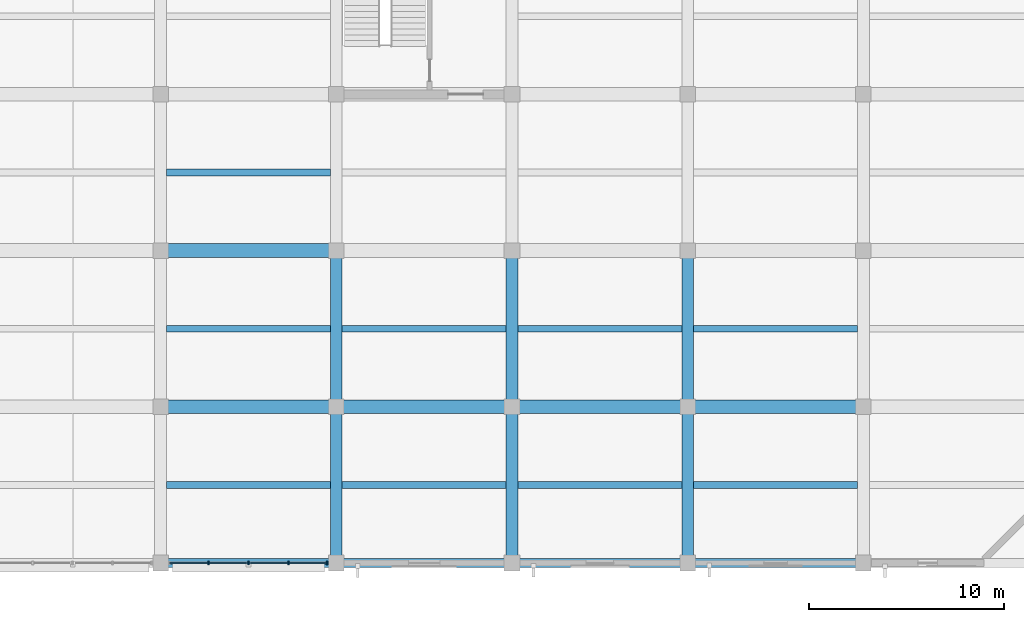
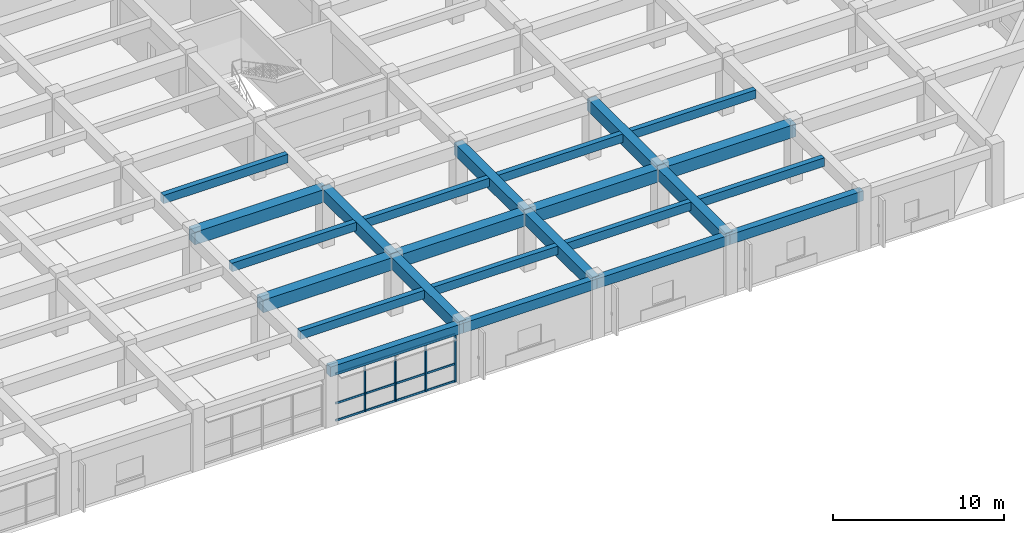
# One storey, part 18 of 50: 24 beams, 7 members, 1 element without a shape of its own.
"""IFC4 building model written with IfcOpenShell, lengths in metres."""

from ifc_helpers import new_model, si_unit, direction, frame, origin, origin_2d, place, context, subcontext, project, spatial, rectangle, extrude, material, material_profile, profile_set, type_object, element, aggregate, save


model = new_model("IFC4")

# Units and contexts
model_context = context("Model", 3, precision=1e-05, world=origin(), true_north=direction((0.0, 1.0)))
body_context = subcontext(model_context, "Body", "Model", "MODEL_VIEW")
ifc_project = project(units=[si_unit("LENGTHUNIT", "METRE"), si_unit("AREAUNIT", "SQUARE_METRE"), si_unit("VOLUMEUNIT", "CUBIC_METRE"), si_unit("PLANEANGLEUNIT", "RADIAN"), si_unit("MASSUNIT", "GRAM", prefix="KILO")], contexts=[model_context])

# Site, building, storey
site_placement = place(None, origin())
site = spatial("IfcSite", under=ifc_project, at=site_placement, CompositionType="ELEMENT")
building_placement = place(site_placement, origin())
building = spatial("IfcBuilding", under=site, at=building_placement, Name="Zaverband Oceanarium and Marine Research Institute", CompositionType="ELEMENT")
storey_placement = place(building_placement, frame((0.0, 0.0, 9.0)))
storey = spatial("IfcBuildingStorey", under=building, at=storey_placement, Name="L02", CompositionType="ELEMENT", Elevation=9.0)

# Beams
ifc_material_1 = material(Name="Concrete C40/50", Category="concrete")
ifc_material_profile_1 = material_profile(ifc_material_1, rectangle(XDim=0.60009765625, YDim=0.85009765625, at=origin_2d()), Name="RC600x850")
ifc_profile_set_1 = profile_set([ifc_material_profile_1], Name="Concrete C40/50")
beam_type_1 = type_object("IfcBeamType", Name="BM-600x850", PredefinedType="BEAM", material=ifc_profile_set_1)
for number, where, z_axis, x_axis, name in (
    (1, (135.0, 0.0, 3.715087890625), (0.0, 1.0, 0.0), (-1.0, 0.0, 0.0), "Primary floor girder BM-600x850"),
    (2, (135.0, 8.0, 3.715087890625), (0.0, 1.0, 0.0), (-1.0, 0.0, 0.0), "Primary floor girder BM-600x850"),
    (3, (144.0, 0.0, 3.715087890625), (0.0, 1.0, 0.0), (-1.0, 0.0, 0.0), "Primary floor girder BM-600x850"),
    (4, (144.0, 8.0, 3.715087890625), (0.0, 1.0, 0.0), (-1.0, 0.0, 0.0), "Primary floor girder BM-600x850"),
    (5, (153.0, 0.0, 3.715087890625), (0.0, 1.0, 0.0), (-1.0, 0.0, 0.0), "Primary floor girder BM-600x850"),
    (6, (153.0, 8.0, 3.715087890625), (0.0, 1.0, 0.0), (-1.0, 0.0, 0.0), "Primary floor girder BM-600x850"),
):
    element("IfcBeam", number, at=place(storey_placement, frame(where, z_axis=z_axis, x_axis=x_axis)), inside=storey, type_object=beam_type_1, Name=name, PredefinedType="BEAM", context=body_context, shape_type="SweptSolid", body=[
        extrude(rectangle(XDim=0.60009765625, YDim=0.85009765625, at=origin_2d()), origin(), (0.0, 0.0, 1.0), 8.0),
    ])
ifc_material_profile_2 = material_profile(ifc_material_1, rectangle(XDim=0.699951171875, YDim=0.89990234375, at=origin_2d()), Name="RC700x900")
ifc_profile_set_2 = profile_set([ifc_material_profile_2], Name="Concrete C40/50")
beam_type_2 = type_object("IfcBeamType", Name="BM-700x900", PredefinedType="BEAM", material=ifc_profile_set_2)
for number, where, z_axis, x_axis, name in (
    (7, (126.0, 8.0, 3.68994140625), (1.0, 0.0, 0.0), (0.0, 1.0, 0.0), "Primary floor girder BM-700x900"),
    (8, (135.0, 8.0, 3.68994140625), (1.0, 0.0, 0.0), (0.0, 1.0, 0.0), "Primary floor girder BM-700x900"),
    (9, (144.0, 8.0, 3.68994140625), (1.0, 0.0, 0.0), (0.0, 1.0, 0.0), "Primary floor girder BM-700x900"),
    (10, (153.0, 8.0, 3.68994140625), (1.0, 0.0, 0.0), (0.0, 1.0, 0.0), "Primary floor girder BM-700x900"),
    (11, (126.0, 16.0, 3.68994140625), (1.0, 0.0, 0.0), (0.0, 1.0, 0.0), "Primary floor girder BM-700x900"),
):
    element("IfcBeam", number, at=place(storey_placement, frame(where, z_axis=z_axis, x_axis=x_axis)), inside=storey, type_object=beam_type_2, Name=name, PredefinedType="BEAM", context=body_context, shape_type="SweptSolid", body=[
        extrude(rectangle(XDim=0.699951171875, YDim=0.89990234375, at=origin_2d()), origin(), (0.0, 0.0, 1.0), 9.0),
    ])
ifc_material_profile_3 = material_profile(ifc_material_1, rectangle(XDim=0.35009765625, YDim=0.60009765625, at=origin_2d()), Name="RC350x600")
ifc_profile_set_3 = profile_set([ifc_material_profile_3], Name="Concrete C40/50")
beam_type_3 = type_object("IfcBeamType", Name="JST-350x600", PredefinedType="JOIST", material=ifc_profile_set_3)
for number, where, z_axis, x_axis, name in (
    (12, (126.300048828125, 4.0, 3.840087890625), (1.0, 0.0, 0.0), (0.0, 1.0, 0.0), "Secondary floor joist JST-350x600"),
    (13, (126.300048828125, 12.0, 3.840087890625), (1.0, 0.0, 0.0), (0.0, 1.0, 0.0), "Secondary floor joist JST-350x600"),
    (14, (126.300048828125, 20.0, 3.840087890625), (1.0, 0.0, 0.0), (0.0, 1.0, 0.0), "Secondary floor joist JST-350x600"),
    (15, (135.300048828125, 4.0, 3.840087890625), (1.0, 0.0, 0.0), (0.0, 1.0, 0.0), "Secondary floor joist JST-350x600"),
    (16, (135.300048828125, 12.0, 3.840087890625), (1.0, 0.0, 0.0), (0.0, 1.0, 0.0), "Secondary floor joist JST-350x600"),
    (17, (144.300048828125, 4.0, 3.840087890625), (1.0, 0.0, 0.0), (0.0, 1.0, 0.0), "Secondary floor joist JST-350x600"),
    (18, (144.300048828125, 12.0, 3.840087890625), (1.0, 0.0, 0.0), (0.0, 1.0, 0.0), "Secondary floor joist JST-350x600"),
    (19, (153.300048828125, 4.0, 3.840087890625), (1.0, 0.0, 0.0), (0.0, 1.0, 0.0), "Secondary floor joist JST-350x600"),
    (20, (153.300048828125, 12.0, 3.840087890625), (1.0, 0.0, 0.0), (0.0, 1.0, 0.0), "Secondary floor joist JST-350x600"),
):
    element("IfcBeam", number, at=place(storey_placement, frame(where, z_axis=z_axis, x_axis=x_axis)), inside=storey, type_object=beam_type_3, Name=name, PredefinedType="JOIST", context=body_context, shape_type="SweptSolid", body=[
        extrude(rectangle(XDim=0.35009765625, YDim=0.60009765625, at=origin_2d()), origin(), (0.0, 0.0, 1.0), 8.39990234375),
    ])

# Curtain wall, members
ifc_material_2 = material(Name="Thermally broken anodized aluminium and solar-control glass", Category="aluminium")
curtain_wall_type = type_object("IfcCurtainWallType", Name="CW-UNIT-1800", PredefinedType="NOTDEFINED", material=ifc_material_2)
curtain_wall_placement = place(storey_placement, origin())
curtain_wall = element("IfcCurtainWall", 21, at=curtain_wall_placement, inside=storey, type_object=curtain_wall_type, Name="Unitised glazed curtain wall CW-045", PredefinedType="NOTDEFINED")
ifc_material_3 = material(Name="Thermally broken anodized aluminium", Category="aluminium")
ifc_material_profile_4 = material_profile(ifc_material_3, rectangle(XDim=0.080078125, YDim=0.179931640625, at=origin_2d()), Name="AL-MUL-80x180")
ifc_profile_set_4 = profile_set([ifc_material_profile_4], Name="Thermally broken anodized aluminium")
member_type_1 = type_object("IfcMemberType", Name="MUL-80x180", PredefinedType="MULLION", material=ifc_profile_set_4)
member_1_placement = place(storey_placement, frame((128.452392578125, 0.0, 0.0), z_axis=(0.0, 0.0, 1.0), x_axis=(1.0, 0.0, 0.0)))
member_1 = element("IfcMember", 22, at=member_1_placement, type_object=member_type_1, Name="Curtain wall vertical mullion MUL-80x180", PredefinedType="MULLION", context=body_context, shape_type="SweptSolid", body=[
    extrude(rectangle(XDim=0.080078125, YDim=0.179931640625, at=origin_2d()), origin(), (0.0, 0.0, 1.0), 3.419921875),
])
member_2_placement = place(storey_placement, frame((130.5, 0.0, 0.0), z_axis=(0.0, 0.0, 1.0), x_axis=(1.0, 0.0, 0.0)))
member_2 = element("IfcMember", 23, at=member_2_placement, type_object=member_type_1, Name="Curtain wall vertical mullion MUL-80x180", PredefinedType="MULLION", context=body_context, shape_type="SweptSolid", body=[
    extrude(rectangle(XDim=0.080078125, YDim=0.179931640625, at=origin_2d()), origin(), (0.0, 0.0, 1.0), 3.419921875),
])
member_3_placement = place(storey_placement, frame((132.547607421875, 0.0, 0.0), z_axis=(0.0, 0.0, 1.0), x_axis=(1.0, 0.0, 0.0)))
member_3 = element("IfcMember", 24, at=member_3_placement, type_object=member_type_1, Name="Curtain wall vertical mullion MUL-80x180", PredefinedType="MULLION", context=body_context, shape_type="SweptSolid", body=[
    extrude(rectangle(XDim=0.080078125, YDim=0.179931640625, at=origin_2d()), origin(), (0.0, 0.0, 1.0), 3.419921875),
])
member_4_placement = place(storey_placement, frame((134.534912109375, 0.0, 0.0), z_axis=(0.0, 0.0, 1.0), x_axis=(1.0, 0.0, 0.0)))
member_4 = element("IfcMember", 25, at=member_4_placement, type_object=member_type_1, Name="Curtain wall vertical mullion MUL-80x180", PredefinedType="MULLION", context=body_context, shape_type="SweptSolid", body=[
    extrude(rectangle(XDim=0.080078125, YDim=0.179931640625, at=origin_2d()), origin(), (0.0, 0.0, 1.0), 3.419921875),
])

# Beams
ifc_material_profile_5 = material_profile(ifc_material_1, rectangle(XDim=0.449951171875, YDim=0.699951171875, at=origin_2d()), Name="RC450x700")
ifc_profile_set_5 = profile_set([ifc_material_profile_5], Name="Concrete C40/50")
beam_type_4 = type_object("IfcBeamType", Name="SPN-450x700", PredefinedType="SPANDREL", material=ifc_profile_set_5)
for number, where, z_axis, x_axis, name in (
    (26, (126.0, 0.0, 3.7900390625), (1.0, 0.0, 0.0), (0.0, 1.0, 0.0), "Perimeter spandrel beam SPN-450x700"),
    (27, (135.0, 0.0, 3.7900390625), (1.0, 0.0, 0.0), (0.0, 1.0, 0.0), "Perimeter spandrel beam SPN-450x700"),
    (28, (144.0, 0.0, 3.7900390625), (1.0, 0.0, 0.0), (0.0, 1.0, 0.0), "Perimeter spandrel beam SPN-450x700"),
    (29, (153.0, 0.0, 3.7900390625), (1.0, 0.0, 0.0), (0.0, 1.0, 0.0), "Perimeter spandrel beam SPN-450x700"),
):
    element("IfcBeam", number, at=place(storey_placement, frame(where, z_axis=z_axis, x_axis=x_axis)), inside=storey, type_object=beam_type_4, Name=name, PredefinedType="SPANDREL", context=body_context, shape_type="SweptSolid", body=[
        extrude(rectangle(XDim=0.449951171875, YDim=0.699951171875, at=origin_2d()), origin(), (0.0, 0.0, 1.0), 9.0),
    ])

# Member
ifc_material_profile_6 = material_profile(ifc_material_3, rectangle(XDim=0.080078125, YDim=0.139892578125, at=origin_2d()), Name="AL-TRN-80x140")
ifc_profile_set_6 = profile_set([ifc_material_profile_6], Name="Thermally broken anodized aluminium")
member_type_2 = type_object("IfcMemberType", Name="TRN-80x140", PredefinedType="USERDEFINED", material=ifc_profile_set_6)
member_5_placement = place(storey_placement, frame((126.465087890625, 0.0, 0.050048828125), z_axis=(1.0, 0.0, 0.0), x_axis=(0.0, 1.0, 0.0)))
member_5 = element("IfcMember", 30, at=member_5_placement, type_object=member_type_2, Name="Curtain wall horizontal transom TRN-80x140", ObjectType="TRANSOM", PredefinedType="USERDEFINED", context=body_context, shape_type="SweptSolid", body=[
    extrude(rectangle(XDim=0.080078125, YDim=0.139892578125, at=origin_2d()), origin(), (0.0, 0.0, 1.0), 8.06982421875),
])

member_6_placement = place(storey_placement, frame((126.465087890625, 0.0, 1.277099609375), z_axis=(1.0, 0.0, 0.0), x_axis=(0.0, 1.0, 0.0)))
member_6 = element("IfcMember", 31, at=member_6_placement, type_object=member_type_2, Name="Curtain wall horizontal transom TRN-80x140", ObjectType="TRANSOM", PredefinedType="USERDEFINED", context=body_context, shape_type="SweptSolid", body=[
    extrude(rectangle(XDim=0.080078125, YDim=0.139892578125, at=origin_2d()), origin(), (0.0, 0.0, 1.0), 8.06982421875),
])

member_7_placement = place(storey_placement, frame((126.465087890625, 0.0, 3.3701171875), z_axis=(1.0, 0.0, 0.0), x_axis=(0.0, 1.0, 0.0)))
member_7 = element("IfcMember", 32, at=member_7_placement, type_object=member_type_2, Name="Curtain wall horizontal transom TRN-80x140", ObjectType="TRANSOM", PredefinedType="USERDEFINED", context=body_context, shape_type="SweptSolid", body=[
    extrude(rectangle(XDim=0.080078125, YDim=0.139892578125, at=origin_2d()), origin(), (0.0, 0.0, 1.0), 8.06982421875),
])

aggregate(curtain_wall, [member_1, member_2, member_3, member_4, member_5, member_6, member_7])

save(model, "model.ifc")
